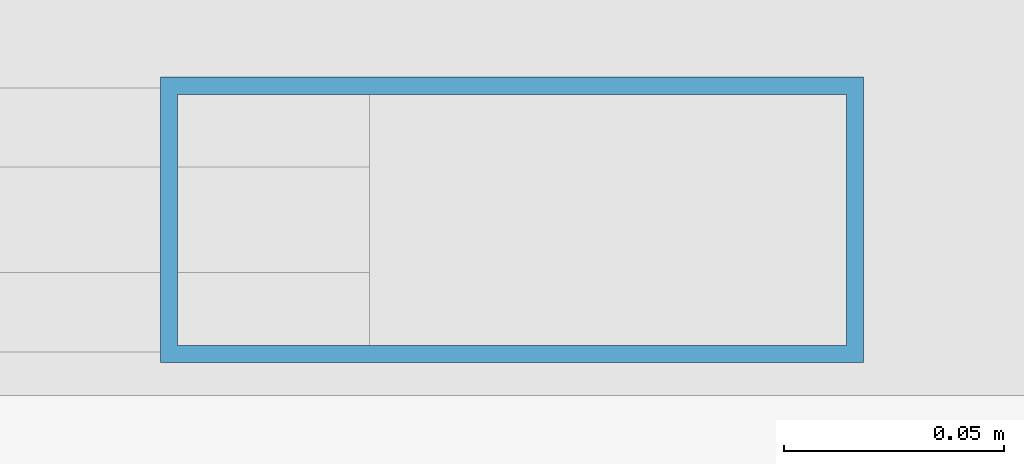
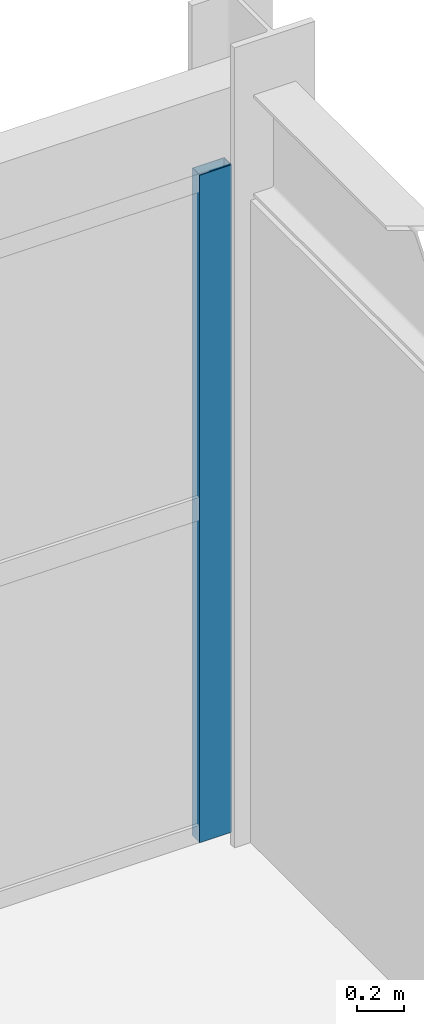
# One storey, part 109 of 157: 1 member, 1 element without a shape of its own.
"""IFC4 building model written with IfcOpenShell, lengths in metres."""

from ifc_helpers import new_model, si_unit, direction, frame, origin, origin_2d, place, context, subcontext, project, spatial, hollow_rectangle, extrude, material, material_profile, profile_set, type_object, element, aggregate, save


model = new_model("IFC4")

# Units and contexts
model_context = context("Model", 3, precision=1e-05, world=origin(), true_north=direction((0.0, 1.0)))
body_context = subcontext(model_context, "Body", "Model", "MODEL_VIEW")
ifc_project = project(units=[si_unit("LENGTHUNIT", "METRE"), si_unit("AREAUNIT", "SQUARE_METRE"), si_unit("VOLUMEUNIT", "CUBIC_METRE"), si_unit("PLANEANGLEUNIT", "RADIAN"), si_unit("MASSUNIT", "GRAM", prefix="KILO")], contexts=[model_context])

# Site, building, storey
site_placement = place(None, origin())
site = spatial("IfcSite", under=ifc_project, at=site_placement, CompositionType="ELEMENT")
building_placement = place(site_placement, origin())
building = spatial("IfcBuilding", under=site, at=building_placement, Name="Karori Crest Natural Sciences Institute", CompositionType="ELEMENT")
storey_placement = place(building_placement, frame((0.0, 0.0, 13.300048828125)))
storey = spatial("IfcBuildingStorey", under=building, at=storey_placement, Name="L03", CompositionType="ELEMENT", Elevation=13.300048828125)

# Curtain wall, member
ifc_material = material(Name="Anodised architectural aluminium 6063-T6", Category="aluminium")
curtain_wall_type = type_object("IfcCurtainWallType", Name="CWT-20", PredefinedType="NOTDEFINED", material=ifc_material)
curtain_wall_placement = place(storey_placement, origin())
curtain_wall = element("IfcCurtainWall", 1, at=curtain_wall_placement, inside=storey, type_object=curtain_wall_type, Name="Curtain wall CW-0330", PredefinedType="NOTDEFINED")
ifc_material_profile = material_profile(ifc_material, hollow_rectangle(XDim=0.06494140625, YDim=0.159912109375, WallThickness=0.00390625, at=origin_2d()), Name="CWM160x65x4")
ifc_profile_set = profile_set([ifc_material_profile], Name="Anodised architectural aluminium 6063-T6")
member_type = type_object("IfcMemberType", Name="CWM-01", PredefinedType="MULLION", material=ifc_profile_set)
member_placement = place(storey_placement, frame((161.969482421875, 20.5400390625, 0.0), z_axis=(0.0, 0.0, 1.0), x_axis=(0.0, 1.0, 0.0)))
member = element("IfcMember", 2, at=member_placement, type_object=member_type, Name="CW-0330 mullion 3", PredefinedType="MULLION", context=body_context, shape_type="SweptSolid", body=[
    extrude(hollow_rectangle(XDim=0.06494140625, YDim=0.159912109375, WallThickness=0.00390625, at=origin_2d()), origin(), (0.0, 0.0, 1.0), 3.5048828125),
])
aggregate(curtain_wall, [member])

save(model, "model.ifc")
